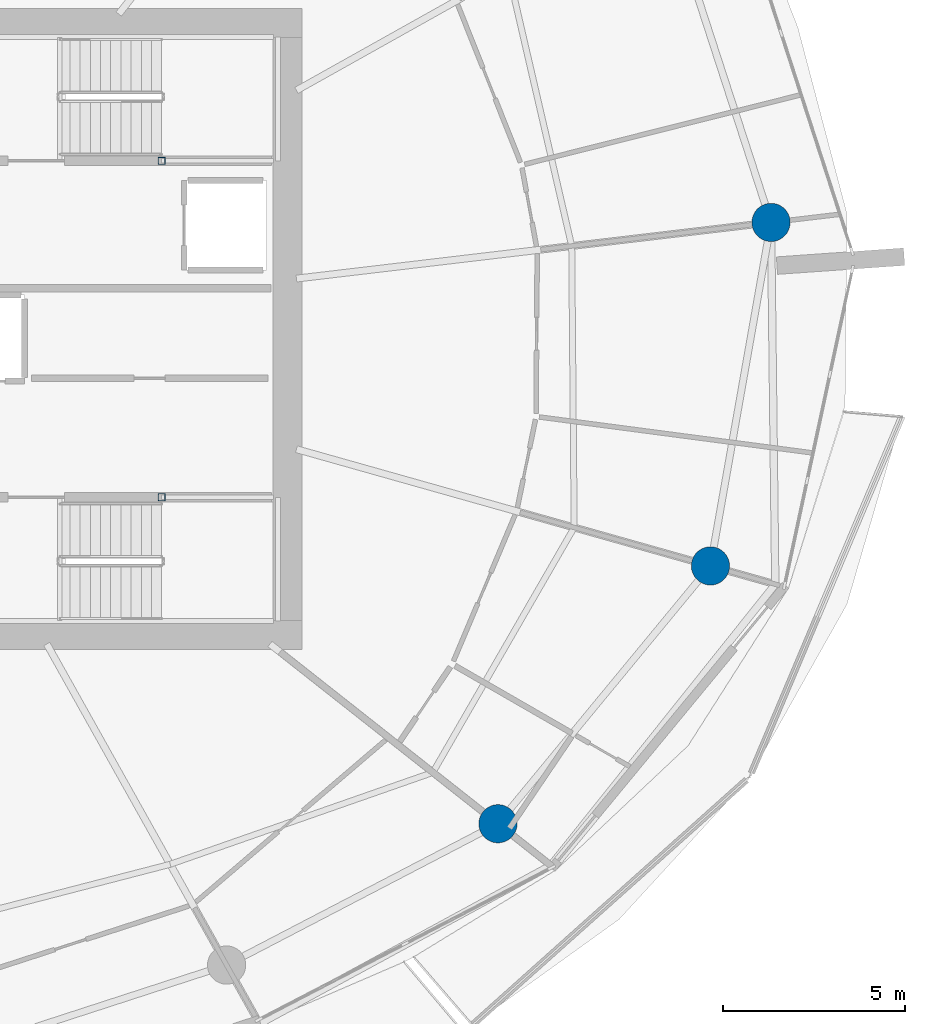
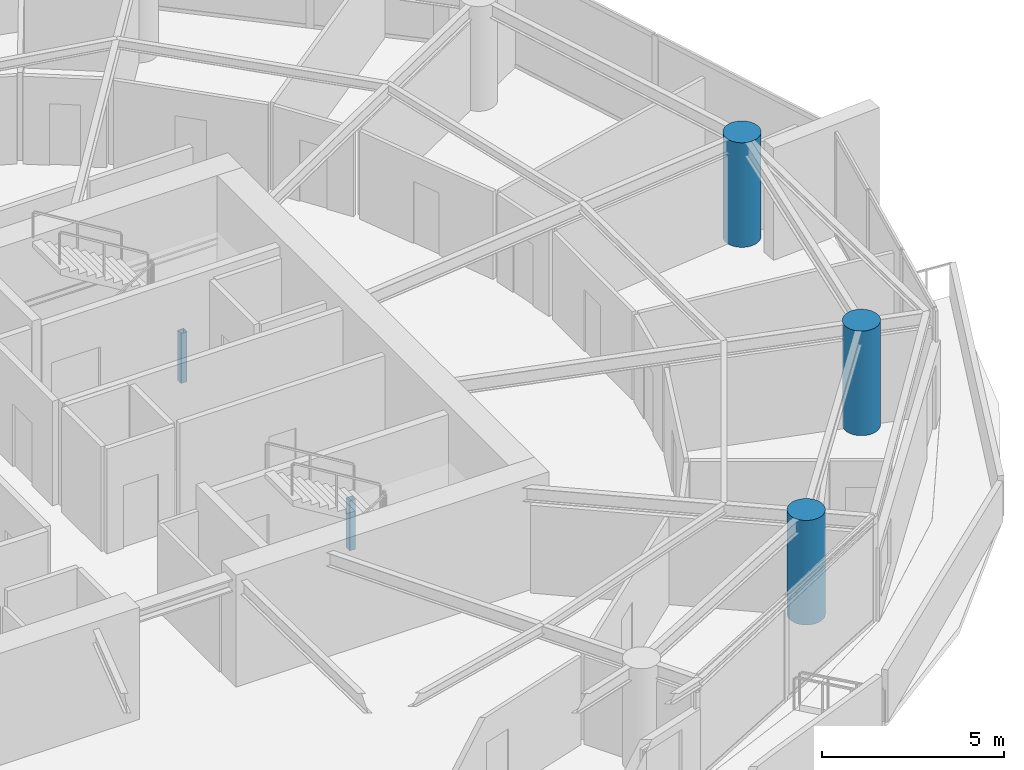
# One storey, part 3 of 20: 5 columns.
"""IFC4 building model written with IfcOpenShell, lengths in metres."""

from ifc_helpers import new_model, si_unit, direction, frame, origin, origin_2d, place, context, subcontext, project, spatial, hollow_rectangle, circle, extrude, material, material_profile, profile_set, type_object, element, save


model = new_model("IFC4")

# Units and contexts
model_context = context("Model", 3, precision=1e-05, world=origin(), true_north=direction((0.0, 1.0)))
body_context = subcontext(model_context, "Body", "Model", "MODEL_VIEW")
ifc_project = project(units=[si_unit("LENGTHUNIT", "METRE"), si_unit("AREAUNIT", "SQUARE_METRE"), si_unit("VOLUMEUNIT", "CUBIC_METRE"), si_unit("PLANEANGLEUNIT", "RADIAN"), si_unit("MASSUNIT", "GRAM", prefix="KILO")], contexts=[model_context])

# Site, building, storey
site_placement = place(None, origin())
site = spatial("IfcSite", under=ifc_project, at=site_placement, CompositionType="ELEMENT")
building_placement = place(site_placement, origin())
building = spatial("IfcBuilding", under=site, at=building_placement, Name="Kazma Halo Residences", CompositionType="ELEMENT")
storey_placement = place(building_placement, frame((0.0, 0.0, 135.300048828125)))
storey = spatial("IfcBuildingStorey", under=building, at=storey_placement, Name="L33", CompositionType="ELEMENT", Elevation=135.300048828125)

# Columns
ifc_material_1 = material(Name="Steel S355", Category="steel")
ifc_material_profile_1 = material_profile(ifc_material_1, hollow_rectangle(XDim=0.199951171875, YDim=0.199951171875, WallThickness=0.010009765625, InnerFilletRadius=0.010009765625, OuterFilletRadius=0.02001953125, at=origin_2d()), Name="SHS200x200x10")
ifc_profile_set_1 = profile_set([ifc_material_profile_1], Name="Steel S355")
column_type_1 = type_object("IfcColumnType", Name="COL-LP-SHS200", PredefinedType="COLUMN", material=ifc_profile_set_1)
for number, where, z_axis, x_axis, name in (
    (1, (56.0, 46.6201171875, 0.0), (0.0, 0.0, 1.0), (1.0, 0.0, 0.0), "L33 ST-02 landing pilaster 1"),
    (2, (56.0, 37.3798828125, 0.0), (0.0, 0.0, 1.0), (1.0, 0.0, 0.0), "L33 ST-03 landing pilaster 1"),
):
    element("IfcColumn", number, at=place(storey_placement, frame(where, z_axis=z_axis, x_axis=x_axis)), inside=storey, type_object=column_type_1, Name=name, PredefinedType="COLUMN", context=body_context, shape_type="SweptSolid", body=[
        extrude(hollow_rectangle(XDim=0.199951171875, YDim=0.199951171875, WallThickness=0.010009765625, InnerFilletRadius=0.010009765625, OuterFilletRadius=0.02001953125, at=origin_2d()), origin(), (0.0, 0.0, 1.0), 1.669921875),
    ])
ifc_material_2 = material(Name="Concrete C80/95", Category="concrete")
ifc_material_profile_2 = material_profile(ifc_material_2, circle(Radius=0.52490234375, at=origin_2d()), Name="CIRC1050")
ifc_profile_set_2 = profile_set([ifc_material_profile_2], Name="Concrete C80/95")
column_type_2 = type_object("IfcColumnType", Name="COL-PERIM-1050", PredefinedType="COLUMN", material=ifc_profile_set_2)
for number, where, z_axis, x_axis, name in (
    (3, (65.234375, 28.41357421875, 0.0), (0.0, 0.0, 1.0), (1.0, 0.0, 0.0), "L33 perimeter ring column P14"),
    (4, (71.06982421875, 35.49365234375, 0.0), (0.0, 0.0, 1.0), (1.0, 0.0, 0.0), "L33 perimeter ring column P15"),
    (5, (72.733154296875, 44.927490234375, 0.0), (0.0, 0.0, 1.0), (1.0, 0.0, 0.0), "L33 perimeter ring column P16"),
):
    element("IfcColumn", number, at=place(storey_placement, frame(where, z_axis=z_axis, x_axis=x_axis)), inside=storey, type_object=column_type_2, Name=name, PredefinedType="COLUMN", context=body_context, shape_type="SweptSolid", body=[
        extrude(circle(Radius=0.52490234375, at=origin_2d()), origin(), (0.0, 0.0, 1.0), 3.5),
    ])

save(model, "model.ifc")
